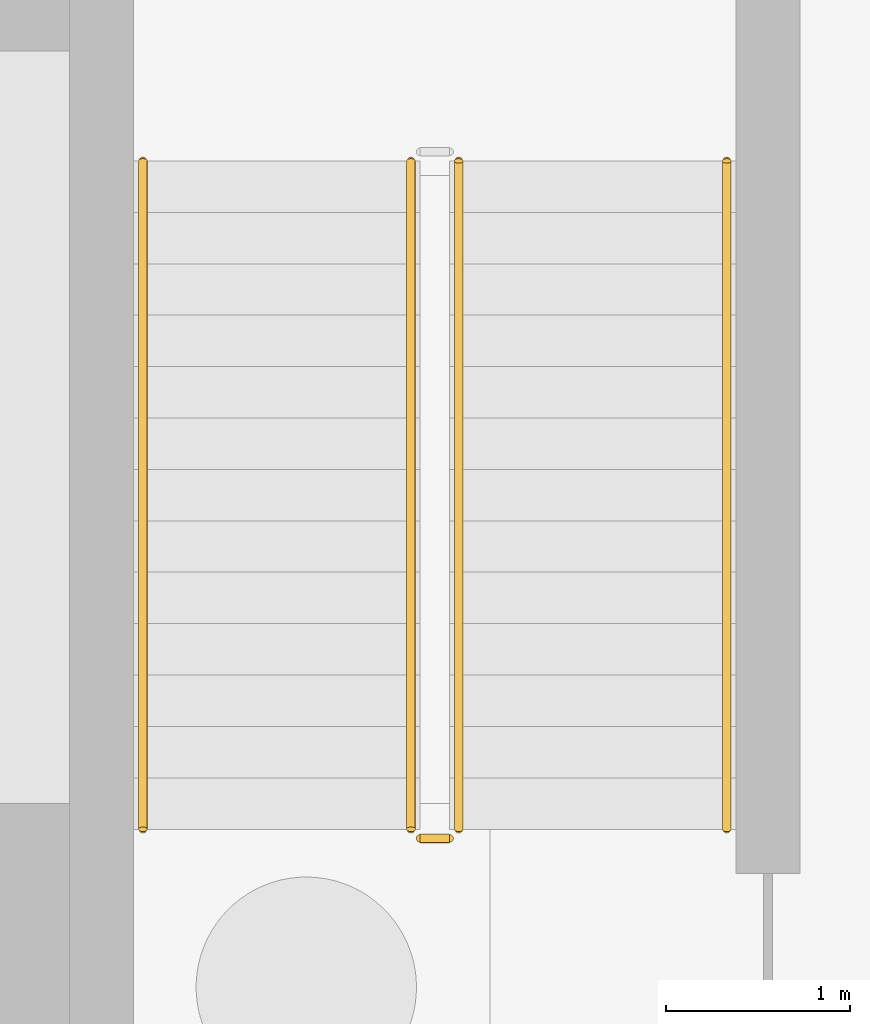
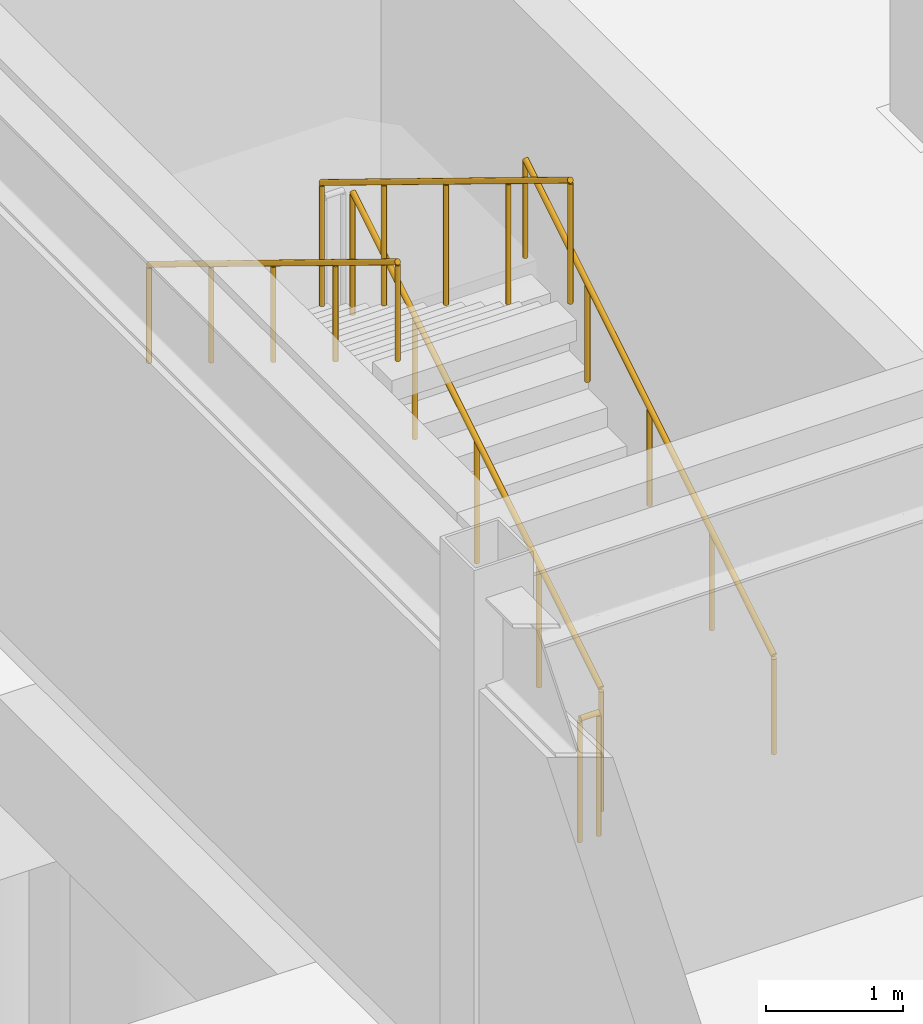
# One storey, part 71 of 74: 5 railings.
"""IFC4 building model written with IfcOpenShell, lengths in metres."""

from ifc_helpers import new_model, si_unit, direction, frame, origin, origin_2d, place, context, subcontext, project, spatial, circle, extrude, material, type_object, element, save


model = new_model("IFC4")

# Units and contexts
model_context = context("Model", 3, precision=1e-05, world=origin(), true_north=direction((0.0, 1.0)))
body_context = subcontext(model_context, "Body", "Model", "MODEL_VIEW")
ifc_project = project(units=[si_unit("LENGTHUNIT", "METRE"), si_unit("AREAUNIT", "SQUARE_METRE"), si_unit("VOLUMEUNIT", "CUBIC_METRE"), si_unit("PLANEANGLEUNIT", "RADIAN"), si_unit("MASSUNIT", "GRAM", prefix="KILO")], contexts=[model_context])

# Site, building, storey
site_placement = place(None, origin())
site = spatial("IfcSite", under=ifc_project, at=site_placement, CompositionType="ELEMENT")
building_placement = place(site_placement, origin())
building = spatial("IfcBuilding", under=site, at=building_placement, Name="Suzunagisa Mobility Hub", CompositionType="ELEMENT")
storey_placement = place(building_placement, frame((0.0, 0.0, -4.800048828125)))
storey = spatial("IfcBuildingStorey", under=building, at=storey_placement, Name="B1", CompositionType="ELEMENT", Elevation=-4.800048828125)

# Railings
ifc_material = material(Name="Stainless Steel SUS304", Category="metal")
railing_type_1 = type_object("IfcRailingType", Name="Interior Well Guardrail IGR-01", PredefinedType="GUARDRAIL", material=ifc_material)
railing_1_placement = place(storey_placement, frame((146.330078125, 91.360107421875, 0.17138671875)))
element("IfcRailing", 1, at=railing_1_placement, inside=storey, type_object=railing_type_1, Name="B1 ST-12 stair guard 1", PredefinedType="GUARDRAIL", context=body_context, shape_type="SweptSolid", body=[
    extrude(circle(Radius=0.02392578125, at=origin_2d()), frame((0.0, 0.0, 1.09619140625), z_axis=(0.0, 0.852824790078, 0.522197163366), x_axis=(-1.0, 0.0, 0.0)), (0.0, 0.0, 1.0), 4.26806640625),
    extrude(circle(Radius=0.02099609375, at=origin_2d()), origin(), (0.0, 0.0, 1.0), 1.072021484375),
    extrude(circle(Radius=0.02099609375, at=origin_2d()), frame((0.0, 0.909912109375, 0.55712890625)), (0.0, 0.0, 1.0), 1.072021484375),
    extrude(circle(Radius=0.02099609375, at=origin_2d()), frame((0.0, 1.81982421875, 1.1142578125)), (0.0, 0.0, 1.0), 1.072021484375),
    extrude(circle(Radius=0.02099609375, at=origin_2d()), frame((0.0, 2.72998046875, 1.671630859375)), (0.0, 0.0, 1.0), 1.072021484375),
    extrude(circle(Radius=0.02099609375, at=origin_2d()), frame((0.0, 3.639892578125, 2.228759765625)), (0.0, 0.0, 1.0), 1.072021484375),
])
railing_2_placement = place(storey_placement, frame((146.070068359375, 95.0, 2.571533203125)))
element("IfcRailing", 2, at=railing_2_placement, inside=storey, type_object=railing_type_1, Name="B1 ST-12 stair guard 3", PredefinedType="GUARDRAIL", context=body_context, shape_type="SweptSolid", body=[
    extrude(circle(Radius=0.02392578125, at=origin_2d()), frame((0.0, 0.0, 1.09619140625), z_axis=(0.0, -0.852850264322, 0.5221555579), x_axis=(1.0, 0.0, 0.0)), (0.0, 0.0, 1.0), 4.267822265625),
    extrude(circle(Radius=0.02099609375, at=origin_2d()), origin(), (0.0, 0.0, 1.0), 1.072021484375),
    extrude(circle(Radius=0.02099609375, at=origin_2d()), frame((0.0, -0.909912109375, 0.55712890625)), (0.0, 0.0, 1.0), 1.072021484375),
    extrude(circle(Radius=0.02099609375, at=origin_2d()), frame((0.0, -1.81982421875, 1.1142578125)), (0.0, 0.0, 1.0), 1.072021484375),
    extrude(circle(Radius=0.02099609375, at=origin_2d()), frame((0.0, -2.72998046875, 1.67138671875)), (0.0, 0.0, 1.0), 1.072021484375),
    extrude(circle(Radius=0.02099609375, at=origin_2d()), frame((0.0, -3.639892578125, 2.228515625)), (0.0, 0.0, 1.0), 1.072021484375),
])
railing_3_placement = place(storey_placement, frame((146.280029296875, 91.31005859375, 0.0)))
element("IfcRailing", 3, at=railing_3_placement, inside=storey, type_object=railing_type_1, Name="B1 ST-12 stair guard 4", PredefinedType="GUARDRAIL", context=body_context, shape_type="SweptSolid", body=[
    extrude(circle(Radius=0.02392578125, at=origin_2d()), frame((0.0, 0.0, 1.09619140625), z_axis=(-1.0, 0.0, 0.0), x_axis=(0.0, -1.0, 0.0)), (0.0, 0.0, 1.0), 0.159912109375),
    extrude(circle(Radius=0.02099609375, at=origin_2d()), origin(), (0.0, 0.0, 1.0), 1.072021484375),
    extrude(circle(Radius=0.02099609375, at=origin_2d()), frame((-0.159912109375, 0.0, 0.0)), (0.0, 0.0, 1.0), 1.072021484375),
])
railing_type_2 = type_object("IfcRailingType", Name="Tubular Stainless Stair Handrail IHR-01", PredefinedType="HANDRAIL", material=ifc_material)
railing_4_placement = place(storey_placement, frame((147.7900390625, 91.360107421875, 0.17138671875)))
element("IfcRailing", 4, at=railing_4_placement, inside=storey, type_object=railing_type_2, Name="B1 ST-12 stair handrail 1", PredefinedType="HANDRAIL", context=body_context, shape_type="SweptSolid", body=[
    extrude(circle(Radius=0.02392578125, at=origin_2d()), frame((0.0, 0.0, 0.8759765625), z_axis=(0.0, 0.852824790078, 0.522197163366), x_axis=(-1.0, 0.0, 0.0)), (0.0, 0.0, 1.0), 4.26806640625),
    extrude(circle(Radius=0.02099609375, at=origin_2d()), origin(), (0.0, 0.0, 1.0), 0.851806640625),
    extrude(circle(Radius=0.02099609375, at=origin_2d()), frame((0.0, 0.909912109375, 0.55712890625)), (0.0, 0.0, 1.0), 0.851806640625),
    extrude(circle(Radius=0.02099609375, at=origin_2d()), frame((0.0, 1.81982421875, 1.1142578125)), (0.0, 0.0, 1.0), 0.851806640625),
    extrude(circle(Radius=0.02099609375, at=origin_2d()), frame((0.0, 2.72998046875, 1.671630859375)), (0.0, 0.0, 1.0), 0.851806640625),
    extrude(circle(Radius=0.02099609375, at=origin_2d()), frame((0.0, 3.639892578125, 2.228759765625)), (0.0, 0.0, 1.0), 0.851806640625),
])
railing_5_placement = place(storey_placement, frame((144.610107421875, 95.0, 2.571533203125)))
element("IfcRailing", 5, at=railing_5_placement, inside=storey, type_object=railing_type_2, Name="B1 ST-12 stair handrail 2", PredefinedType="HANDRAIL", context=body_context, shape_type="SweptSolid", body=[
    extrude(circle(Radius=0.02392578125, at=origin_2d()), frame((0.0, 0.0, 0.8759765625), z_axis=(0.0, -0.852850264322, 0.5221555579), x_axis=(1.0, 0.0, 0.0)), (0.0, 0.0, 1.0), 4.267822265625),
    extrude(circle(Radius=0.02099609375, at=origin_2d()), origin(), (0.0, 0.0, 1.0), 0.851806640625),
    extrude(circle(Radius=0.02099609375, at=origin_2d()), frame((0.0, -0.909912109375, 0.55712890625)), (0.0, 0.0, 1.0), 0.851806640625),
    extrude(circle(Radius=0.02099609375, at=origin_2d()), frame((0.0, -1.81982421875, 1.1142578125)), (0.0, 0.0, 1.0), 0.851806640625),
    extrude(circle(Radius=0.02099609375, at=origin_2d()), frame((0.0, -2.72998046875, 1.67138671875)), (0.0, 0.0, 1.0), 0.851806640625),
    extrude(circle(Radius=0.02099609375, at=origin_2d()), frame((0.0, -3.639892578125, 2.228515625)), (0.0, 0.0, 1.0), 0.851806640625),
])

save(model, "model.ifc")
